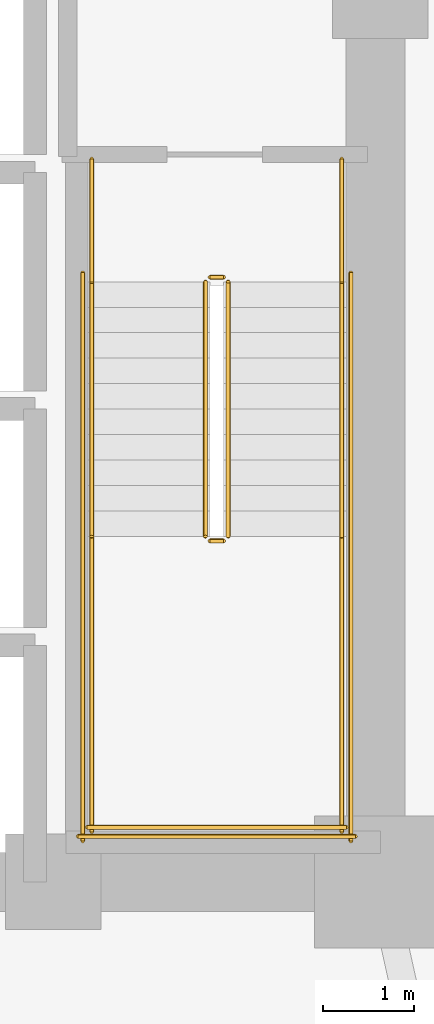
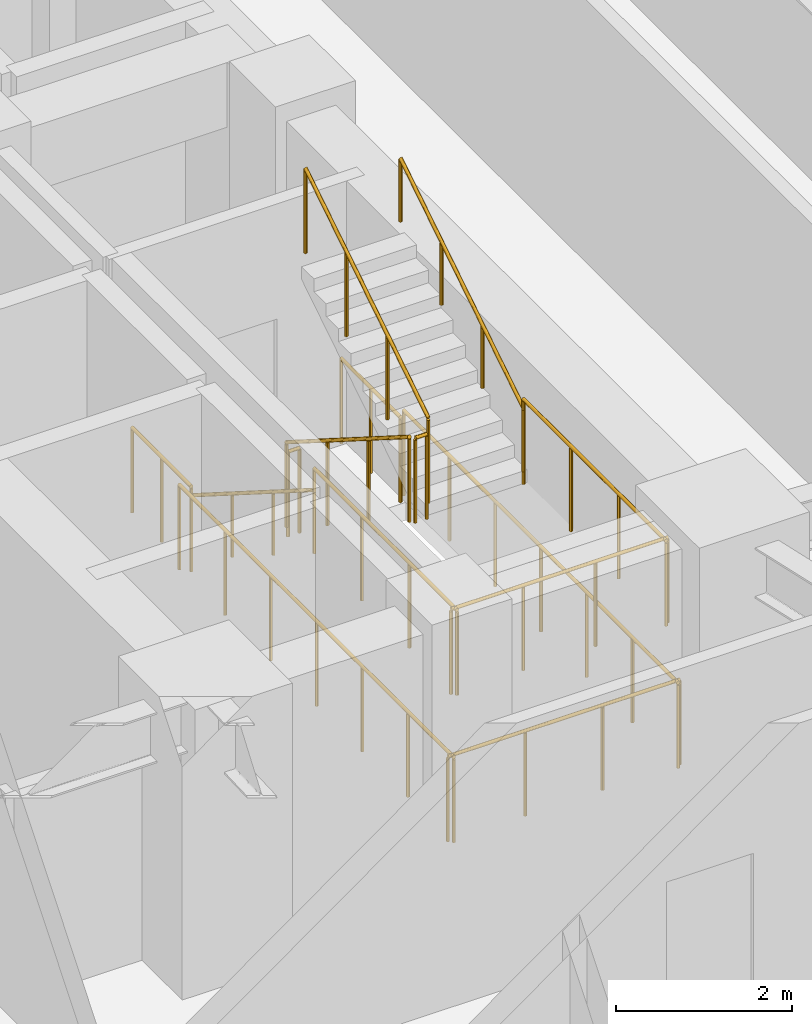
# One storey, part 11 of 11: 14 railings.
"""IFC4 building model written with IfcOpenShell, lengths in metres."""

from ifc_helpers import new_model, si_unit, direction, frame, origin, origin_2d, place, context, subcontext, project, spatial, circle, extrude, material, type_object, element, save


model = new_model("IFC4")

# Units and contexts
model_context = context("Model", 3, precision=1e-05, world=origin(), true_north=direction((0.0, 1.0)))
body_context = subcontext(model_context, "Body", "Model", "MODEL_VIEW")
ifc_project = project(units=[si_unit("LENGTHUNIT", "METRE"), si_unit("AREAUNIT", "SQUARE_METRE"), si_unit("VOLUMEUNIT", "CUBIC_METRE"), si_unit("PLANEANGLEUNIT", "RADIAN"), si_unit("MASSUNIT", "GRAM", prefix="KILO")], contexts=[model_context])

# Site, building, storey
site_placement = place(None, origin())
site = spatial("IfcSite", under=ifc_project, at=site_placement, CompositionType="ELEMENT")
building_placement = place(site_placement, origin())
building = spatial("IfcBuilding", under=site, at=building_placement, Name="Voryun Gate Residences", CompositionType="ELEMENT")
storey_placement = place(building_placement, frame((0.0, 0.0, 49.39990234375)))
storey = spatial("IfcBuildingStorey", under=building, at=storey_placement, Name="L11", CompositionType="ELEMENT", Elevation=49.39990234375)

# Railings
ifc_material_1 = material(Name="Painted steel", Category="steel")
railing_type_1 = type_object("IfcRailingType", Name="RAIL_STAIR_GUARD_1200", PredefinedType="GUARDRAIL", material=ifc_material_1)
railing_1_placement = place(storey_placement, frame((17.27490234375, -0.800048828125, 0.177490234375)))
element("IfcRailing", 1, at=railing_1_placement, inside=storey, type_object=railing_type_1, Name="L11 ST-E1 stair guard 1", PredefinedType="GUARDRAIL", context=body_context, shape_type="SweptSolid", body=[
    extrude(circle(Radius=0.02392578125, at=origin_2d()), frame((0.0, 0.0, 1.17578125), z_axis=(0.0, -0.844908973607, 0.534910110503), x_axis=(1.0, 0.0, 0.0)), (0.0, 0.0, 1.0), 3.31396484375),
    extrude(circle(Radius=0.02099609375, at=origin_2d()), origin(), (0.0, 0.0, 1.0), 1.15185546875),
    extrude(circle(Radius=0.02099609375, at=origin_2d()), frame((0.0, -0.933349609375, 0.5908203125)), (0.0, 0.0, 1.0), 1.15185546875),
    extrude(circle(Radius=0.02099609375, at=origin_2d()), frame((0.0, -1.86669921875, 1.181884765625)), (0.0, 0.0, 1.0), 1.15185546875),
    extrude(circle(Radius=0.02099609375, at=origin_2d()), frame((0.0, -2.800048828125, 1.772705078125)), (0.0, 0.0, 1.0), 1.15185546875),
])
railing_2_placement = place(storey_placement, frame((17.324951171875, -3.64990234375, 1.9501953125)))
element("IfcRailing", 2, at=railing_2_placement, inside=storey, type_object=railing_type_1, Name="L11 ST-E1 stair guard 2", PredefinedType="GUARDRAIL", context=body_context, shape_type="SweptSolid", body=[
    extrude(circle(Radius=0.02392578125, at=origin_2d()), frame((0.0, 0.0, 1.17578125), z_axis=(1.0, 0.0, 0.0), x_axis=(0.0, 1.0, 0.0)), (0.0, 0.0, 1.0), 0.150146484375),
    extrude(circle(Radius=0.02099609375, at=origin_2d()), origin(), (0.0, 0.0, 1.0), 1.15185546875),
    extrude(circle(Radius=0.02099609375, at=origin_2d()), frame((0.150146484375, 0.0, 0.0)), (0.0, 0.0, 1.0), 1.15185546875),
])
for number, where, name in (
    (3, (16.02490234375, -3.60009765625, 1.9501953125), "L11 ST-E1 stair guard 3"),
    (4, (18.77490234375, -3.60009765625, 1.9501953125), "L11 ST-E1 stair guard 4"),
):
    element("IfcRailing", number, at=place(storey_placement, frame(where)), inside=storey, type_object=railing_type_1, Name=name, PredefinedType="GUARDRAIL", context=body_context, shape_type="SweptSolid", body=[
        extrude(circle(Radius=0.02392578125, at=origin_2d()), frame((0.0, 0.0, 1.17578125), z_axis=(0.0, -1.0, 0.0), x_axis=(1.0, 0.0, 0.0)), (0.0, 0.0, 1.0), 3.25),
        extrude(circle(Radius=0.02099609375, at=origin_2d()), origin(), (0.0, 0.0, 1.0), 1.15185546875),
        extrude(circle(Radius=0.02099609375, at=origin_2d()), frame((0.0, -1.083251953125, 0.0)), (0.0, 0.0, 1.0), 1.15185546875),
        extrude(circle(Radius=0.02099609375, at=origin_2d()), frame((0.0, -2.166748046875, 0.0)), (0.0, 0.0, 1.0), 1.15185546875),
        extrude(circle(Radius=0.02099609375, at=origin_2d()), frame((0.0, -3.25, 0.0)), (0.0, 0.0, 1.0), 1.15185546875),
    ])
railing_3_placement = place(storey_placement, frame((15.97509765625, -6.800048828125, 1.9501953125)))
element("IfcRailing", 5, at=railing_3_placement, inside=storey, type_object=railing_type_1, Name="L11 ST-E1 stair guard 5", PredefinedType="GUARDRAIL", context=body_context, shape_type="SweptSolid", body=[
    extrude(circle(Radius=0.02392578125, at=origin_2d()), frame((0.0, 0.0, 1.17578125), z_axis=(1.0, 0.0, 0.0), x_axis=(0.0, 1.0, 0.0)), (0.0, 0.0, 1.0), 2.849853515625),
    extrude(circle(Radius=0.02099609375, at=origin_2d()), origin(), (0.0, 0.0, 1.0), 1.15185546875),
    extrude(circle(Radius=0.02099609375, at=origin_2d()), frame((0.949951171875, 0.0, 0.0)), (0.0, 0.0, 1.0), 1.15185546875),
    extrude(circle(Radius=0.02099609375, at=origin_2d()), frame((1.89990234375, 0.0, 0.0)), (0.0, 0.0, 1.0), 1.15185546875),
    extrude(circle(Radius=0.02099609375, at=origin_2d()), frame((2.849853515625, 0.0, 0.0)), (0.0, 0.0, 1.0), 1.15185546875),
])
railing_4_placement = place(storey_placement, frame((17.52490234375, -3.60009765625, 2.12744140625)))
element("IfcRailing", 6, at=railing_4_placement, inside=storey, type_object=railing_type_1, Name="L11 ST-E1 stair guard 6", PredefinedType="GUARDRAIL", context=body_context, shape_type="SweptSolid", body=[
    extrude(circle(Radius=0.02392578125, at=origin_2d()), frame((0.0, 0.0, 1.17578125), z_axis=(0.0, 0.844908973607, 0.534910110503), x_axis=(-1.0, 0.0, 0.0)), (0.0, 0.0, 1.0), 3.31396484375),
    extrude(circle(Radius=0.02099609375, at=origin_2d()), origin(), (0.0, 0.0, 1.0), 1.15185546875),
    extrude(circle(Radius=0.02099609375, at=origin_2d()), frame((0.0, 0.933349609375, 0.5908203125)), (0.0, 0.0, 1.0), 1.15185546875),
    extrude(circle(Radius=0.02099609375, at=origin_2d()), frame((0.0, 1.86669921875, 1.181884765625)), (0.0, 0.0, 1.0), 1.15185546875),
    extrude(circle(Radius=0.02099609375, at=origin_2d()), frame((0.0, 2.800048828125, 1.772705078125)), (0.0, 0.0, 1.0), 1.15185546875),
])
railing_5_placement = place(storey_placement, frame((17.324951171875, -0.75, 0.0)))
element("IfcRailing", 7, at=railing_5_placement, inside=storey, type_object=railing_type_1, Name="L11 ST-E1 stair guard 7", PredefinedType="GUARDRAIL", context=body_context, shape_type="SweptSolid", body=[
    extrude(circle(Radius=0.02392578125, at=origin_2d()), frame((0.0, 0.0, 1.17578125), z_axis=(1.0, 0.0, 0.0), x_axis=(0.0, 1.0, 0.0)), (0.0, 0.0, 1.0), 0.150146484375),
    extrude(circle(Radius=0.02099609375, at=origin_2d()), origin(), (0.0, 0.0, 1.0), 1.15185546875),
    extrude(circle(Radius=0.02099609375, at=origin_2d()), frame((0.150146484375, 0.0, 0.0)), (0.0, 0.0, 1.0), 1.15185546875),
])
for number, where, name in (
    (8, (16.02490234375, 0.550048828125, 0.0), "L11 ST-E1 stair guard 8"),
    (9, (18.77490234375, 0.550048828125, 0.0), "L11 ST-E1 stair guard 9"),
):
    element("IfcRailing", number, at=place(storey_placement, frame(where)), inside=storey, type_object=railing_type_1, Name=name, PredefinedType="GUARDRAIL", context=body_context, shape_type="SweptSolid", body=[
        extrude(circle(Radius=0.02392578125, at=origin_2d()), frame((0.0, 0.0, 1.17578125), z_axis=(0.0, -1.0, 0.0), x_axis=(1.0, 0.0, 0.0)), (0.0, 0.0, 1.0), 1.35009765625),
        extrude(circle(Radius=0.02099609375, at=origin_2d()), origin(), (0.0, 0.0, 1.0), 1.15185546875),
        extrude(circle(Radius=0.02099609375, at=origin_2d()), frame((0.0, -0.675048828125, 0.0)), (0.0, 0.0, 1.0), 1.15185546875),
        extrude(circle(Radius=0.02099609375, at=origin_2d()), frame((0.0, -1.35009765625, 0.0)), (0.0, 0.0, 1.0), 1.15185546875),
    ])
for number, where, name in (
    (10, (15.925048828125, -0.699951171875, 0.0), "L11 ST-E1 stair guard 10"),
    (11, (18.875, -0.699951171875, 0.0), "L11 ST-E1 stair guard 11"),
):
    element("IfcRailing", number, at=place(storey_placement, frame(where)), inside=storey, type_object=railing_type_1, Name=name, PredefinedType="GUARDRAIL", context=body_context, shape_type="SweptSolid", body=[
        extrude(circle(Radius=0.02392578125, at=origin_2d()), frame((0.0, 0.0, 1.17578125), z_axis=(0.0, -1.0, 0.0), x_axis=(1.0, 0.0, 0.0)), (0.0, 0.0, 1.0), 6.25),
        extrude(circle(Radius=0.02099609375, at=origin_2d()), origin(), (0.0, 0.0, 1.0), 1.15185546875),
        extrude(circle(Radius=0.02099609375, at=origin_2d()), frame((0.0, -1.041748046875, 0.0)), (0.0, 0.0, 1.0), 1.15185546875),
        extrude(circle(Radius=0.02099609375, at=origin_2d()), frame((0.0, -2.083251953125, 0.0)), (0.0, 0.0, 1.0), 1.15185546875),
        extrude(circle(Radius=0.02099609375, at=origin_2d()), frame((0.0, -3.125, 0.0)), (0.0, 0.0, 1.0), 1.15185546875),
        extrude(circle(Radius=0.02099609375, at=origin_2d()), frame((0.0, -4.166748046875, 0.0)), (0.0, 0.0, 1.0), 1.15185546875),
        extrude(circle(Radius=0.02099609375, at=origin_2d()), frame((0.0, -5.208251953125, 0.0)), (0.0, 0.0, 1.0), 1.15185546875),
        extrude(circle(Radius=0.02099609375, at=origin_2d()), frame((0.0, -6.25, 0.0)), (0.0, 0.0, 1.0), 1.15185546875),
    ])
railing_6_placement = place(storey_placement, frame((15.875, -6.89990234375, 0.0)))
element("IfcRailing", 12, at=railing_6_placement, inside=storey, type_object=railing_type_1, Name="L11 ST-E1 stair guard 12", PredefinedType="GUARDRAIL", context=body_context, shape_type="SweptSolid", body=[
    extrude(circle(Radius=0.02392578125, at=origin_2d()), frame((0.0, 0.0, 1.17578125), z_axis=(1.0, 0.0, 0.0), x_axis=(0.0, 1.0, 0.0)), (0.0, 0.0, 1.0), 3.050048828125),
    extrude(circle(Radius=0.02099609375, at=origin_2d()), origin(), (0.0, 0.0, 1.0), 1.15185546875),
    extrude(circle(Radius=0.02099609375, at=origin_2d()), frame((1.0166015625, 0.0, 0.0)), (0.0, 0.0, 1.0), 1.15185546875),
    extrude(circle(Radius=0.02099609375, at=origin_2d()), frame((2.033447265625, 0.0, 0.0)), (0.0, 0.0, 1.0), 1.15185546875),
    extrude(circle(Radius=0.02099609375, at=origin_2d()), frame((3.050048828125, 0.0, 0.0)), (0.0, 0.0, 1.0), 1.15185546875),
])
ifc_material_2 = material(Name="Painted steel", Category="steel")
railing_type_2 = type_object("IfcRailingType", Name="RAIL_STAIR_HANDRAIL_900", PredefinedType="HANDRAIL", material=ifc_material_2)
railing_7_placement = place(storey_placement, frame((16.02490234375, -0.800048828125, 0.177490234375)))
element("IfcRailing", 13, at=railing_7_placement, inside=storey, type_object=railing_type_2, Name="L11 ST-E1 stair handrail 1", PredefinedType="HANDRAIL", context=body_context, shape_type="SweptSolid", body=[
    extrude(circle(Radius=0.02392578125, at=origin_2d()), frame((0.0, 0.0, 0.8759765625), z_axis=(0.0, -0.844908973607, 0.534910110503), x_axis=(1.0, 0.0, 0.0)), (0.0, 0.0, 1.0), 3.31396484375),
    extrude(circle(Radius=0.02099609375, at=origin_2d()), origin(), (0.0, 0.0, 1.0), 0.851806640625),
    extrude(circle(Radius=0.02099609375, at=origin_2d()), frame((0.0, -0.933349609375, 0.5908203125)), (0.0, 0.0, 1.0), 0.851806640625),
    extrude(circle(Radius=0.02099609375, at=origin_2d()), frame((0.0, -1.86669921875, 1.181884765625)), (0.0, 0.0, 1.0), 0.851806640625),
    extrude(circle(Radius=0.02099609375, at=origin_2d()), frame((0.0, -2.800048828125, 1.772705078125)), (0.0, 0.0, 1.0), 0.851806640625),
])
railing_8_placement = place(storey_placement, frame((18.77490234375, -3.60009765625, 2.12744140625)))
element("IfcRailing", 14, at=railing_8_placement, inside=storey, type_object=railing_type_2, Name="L11 ST-E1 stair handrail 2", PredefinedType="HANDRAIL", context=body_context, shape_type="SweptSolid", body=[
    extrude(circle(Radius=0.02392578125, at=origin_2d()), frame((0.0, 0.0, 0.8759765625), z_axis=(0.0, 0.844908973607, 0.534910110503), x_axis=(-1.0, 0.0, 0.0)), (0.0, 0.0, 1.0), 3.31396484375),
    extrude(circle(Radius=0.02099609375, at=origin_2d()), origin(), (0.0, 0.0, 1.0), 0.851806640625),
    extrude(circle(Radius=0.02099609375, at=origin_2d()), frame((0.0, 0.933349609375, 0.5908203125)), (0.0, 0.0, 1.0), 0.851806640625),
    extrude(circle(Radius=0.02099609375, at=origin_2d()), frame((0.0, 1.86669921875, 1.181884765625)), (0.0, 0.0, 1.0), 0.851806640625),
    extrude(circle(Radius=0.02099609375, at=origin_2d()), frame((0.0, 2.800048828125, 1.772705078125)), (0.0, 0.0, 1.0), 0.851806640625),
])

save(model, "model.ifc")
